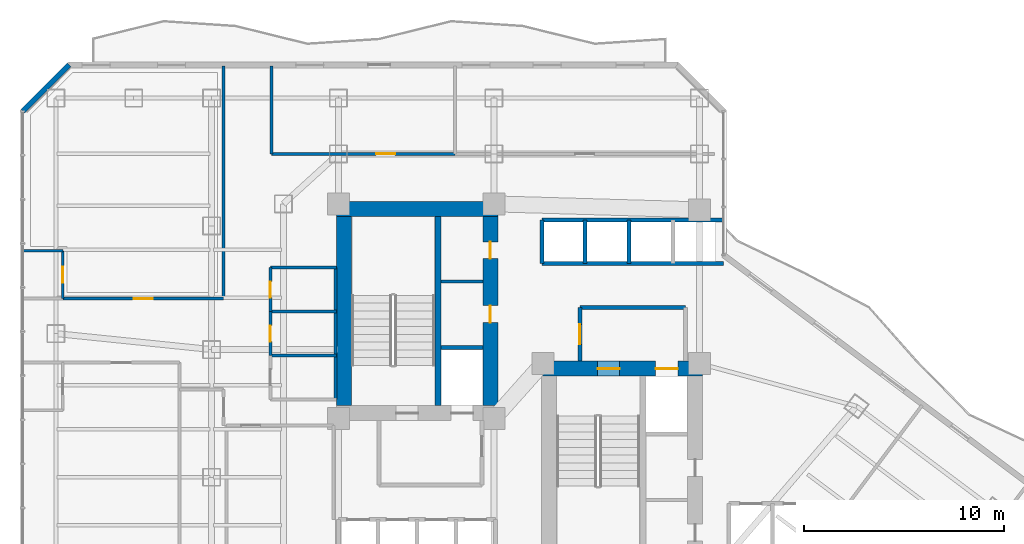
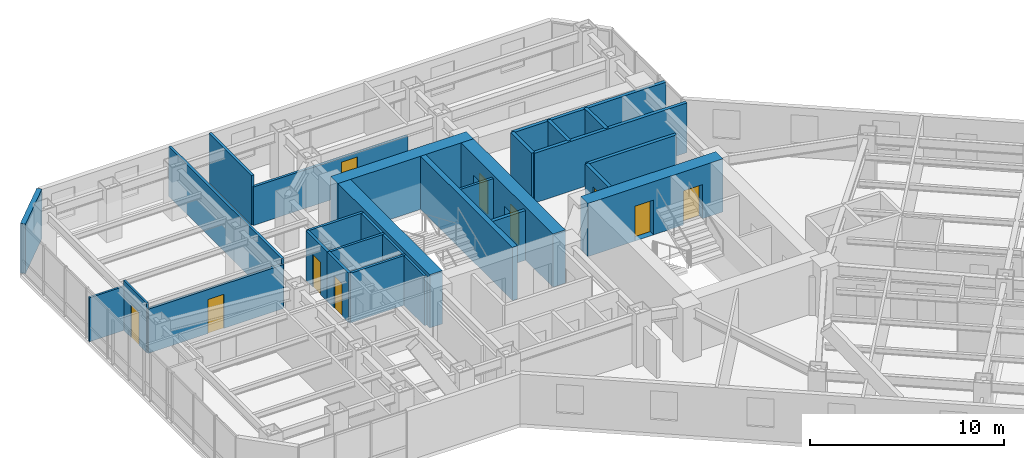
# One storey, part 26 of 31: 27 walls, 10 doors, 10 openings.
"""IFC4 building model written with IfcOpenShell, lengths in metres."""

from ifc_helpers import new_model, si_unit, direction, frame, frame_2d, origin, place, context, subcontext, project, spatial, rectangle, extrude, material, layer, layer_set, type_object, element, fill, save


model = new_model("IFC4")

# Units and contexts
model_context = context("Model", 3, precision=1e-05, world=origin(), true_north=direction((0.0, 1.0)))
body_context = subcontext(model_context, "Body", "Model", "MODEL_VIEW")
ifc_project = project(units=[si_unit("LENGTHUNIT", "METRE"), si_unit("AREAUNIT", "SQUARE_METRE"), si_unit("VOLUMEUNIT", "CUBIC_METRE"), si_unit("PLANEANGLEUNIT", "RADIAN"), si_unit("MASSUNIT", "GRAM", prefix="KILO")], contexts=[model_context])

# Site, building, storey
site_placement = place(None, origin())
site = spatial("IfcSite", under=ifc_project, at=site_placement, CompositionType="ELEMENT")
building_placement = place(site_placement, origin())
building = spatial("IfcBuilding", under=site, at=building_placement, Name="Hatsunagi Terrace Concourse", CompositionType="ELEMENT")
storey_placement = place(building_placement, frame((0.0, 0.0, 77.949951171875)))
storey = spatial("IfcBuildingStorey", under=building, at=storey_placement, Name="L20", CompositionType="ELEMENT", Elevation=77.949951171875)

# Walls
ifc_material_1 = material(Name="Concrete Fc60", Category="concrete")
ifc_layer_1 = layer(ifc_material_1, 0.75)
ifc_layer_set_1 = layer_set([ifc_layer_1], Name="CoreShearWall_Fc60_750")
wall_type_1 = type_object("IfcWallType", Name="CoreShearWall_Fc60_750", PredefinedType="SHEAR", material=ifc_layer_set_1)
wall_1_placement = place(storey_placement, frame((25.469970703125, 43.044921875, 0.0), z_axis=(0.0, 0.0, 1.0), x_axis=(1.0, 0.0, 0.0)))
element("IfcWall", 1, at=wall_1_placement, inside=storey, type_object=wall_type_1, Name="Core A Shear Wall N L20", PredefinedType="SHEAR", context=body_context, shape_type="SweptSolid", body=[
    extrude(rectangle(XDim=8.080078125, YDim=0.75, at=frame_2d((4.0400390625, 0.0))), origin(), (0.0, 0.0, 1.0), 3.35009765625),
])
wall_2_placement = place(storey_placement, frame((25.844970703125, 33.18994140625, 0.0), z_axis=(0.0, 0.0, 1.0), x_axis=(0.0, 1.0, 0.0)))
element("IfcWall", 2, at=wall_2_placement, inside=storey, type_object=wall_type_1, Name="Core A Shear Wall W L20", PredefinedType="SHEAR", context=body_context, shape_type="SweptSolid", body=[
    extrude(rectangle(XDim=9.47998046875, YDim=0.75, at=frame_2d((4.739990234375, 0.0))), origin(), (0.0, 0.0, 1.0), 3.35009765625),
])

# Wall, openings, doors
wall_3_placement = place(storey_placement, frame((33.175048828125, 33.18994140625, 0.0), z_axis=(0.0, 0.0, 1.0), x_axis=(0.0, 1.0, 0.0)))
wall_3 = element("IfcWall", 3, at=wall_3_placement, inside=storey, type_object=wall_type_1, Name="Core A Shear Wall E L20", PredefinedType="SHEAR", context=body_context, shape_type="SweptSolid", body=[
    extrude(rectangle(XDim=9.47998046875, YDim=0.75, at=frame_2d((4.739990234375, 0.0))), origin(), (0.0, 0.0, 1.0), 3.35009765625),
])
opening_1_placement = place(wall_3_placement, frame((4.159912109375, 0.0, 0.0)))
opening_1 = element("IfcOpeningElement", 4, at=opening_1_placement, cuts=wall_3, Name="Opening DR-085", PredefinedType="OPENING", context=body_context, shape_type="SweptSolid", body=[
    extrude(rectangle(XDim=0.85009765625, YDim=2.080078125, at=frame_2d((0.425048828125, 1.0400390625))), frame((0.0, 0.385009765625, 0.0), z_axis=(0.0, -1.0, 0.0), x_axis=(1.0, 0.0, 0.0)), (0.0, 0.0, 1.0), 0.77001953125),
])
opening_2_placement = place(wall_3_placement, frame((7.360107421875, 0.0, 0.0)))
opening_2 = element("IfcOpeningElement", 5, at=opening_2_placement, cuts=wall_3, Name="Opening DR-085", PredefinedType="OPENING", context=body_context, shape_type="SweptSolid", body=[
    extrude(rectangle(XDim=0.85009765625, YDim=2.080078125, at=frame_2d((0.425048828125, 1.0400390625))), frame((0.0, 0.385009765625, 0.0), z_axis=(0.0, -1.0, 0.0), x_axis=(1.0, 0.0, 0.0)), (0.0, 0.0, 1.0), 0.77001953125),
])
ifc_material_2 = material(Name="Painted steel", Category="steel")
door_type_1 = type_object("IfcDoorType", Name="RiserAccessDoor_EI60_850", OperationType="NOTDEFINED", PredefinedType="DOOR", material=ifc_material_2)
door_1_placement = place(opening_1_placement, origin())
door_1 = element("IfcDoor", 6, at=door_1_placement, inside=storey, type_object=door_type_1, Name="Core A Riser Door L20-1", OperationType="SINGLE_SWING_LEFT", OverallHeight=2.080078125, OverallWidth=0.85009765625, PredefinedType="DOOR", context=body_context, shape_type="SweptSolid", body=[
    extrude(rectangle(XDim=0.85009765625, YDim=2.080078125, at=frame_2d((0.425048828125, 1.0400390625))), frame((0.0, 0.02490234375, 0.0), z_axis=(0.0, -1.0, 0.0), x_axis=(1.0, 0.0, 0.0)), (0.0, 0.0, 1.0), 0.050048828125),
])
fill(opening_1, door_1)
door_2_placement = place(opening_2_placement, origin())
door_2 = element("IfcDoor", 7, at=door_2_placement, inside=storey, type_object=door_type_1, Name="Core A Riser Door L20-2", OperationType="SINGLE_SWING_LEFT", OverallHeight=2.080078125, OverallWidth=0.85009765625, PredefinedType="DOOR", context=body_context, shape_type="SweptSolid", body=[
    extrude(rectangle(XDim=0.85009765625, YDim=2.080078125, at=frame_2d((0.425048828125, 1.0400390625))), frame((0.0, 0.02490234375, 0.0), z_axis=(0.0, -1.0, 0.0), x_axis=(1.0, 0.0, 0.0)), (0.0, 0.0, 1.0), 0.050048828125),
])
fill(opening_2, door_2)

wall_4_placement = place(storey_placement, frame((35.739990234375, 35.044921875, 0.0), z_axis=(0.0, 0.0, 1.0), x_axis=(1.0, 0.0, 0.0)))
wall_4 = element("IfcWall", 8, at=wall_4_placement, inside=storey, type_object=wall_type_1, Name="Core B Shear Wall N L20", PredefinedType="SHEAR", context=body_context, shape_type="SweptSolid", body=[
    extrude(rectangle(XDim=8.06005859375, YDim=0.75, at=frame_2d((4.030029296875, 0.0))), origin(), (0.0, 0.0, 1.0), 3.35009765625),
])
opening_3_placement = place(wall_4_placement, frame((2.81005859375, 0.0, 0.0)))
opening_3 = element("IfcOpeningElement", 9, at=opening_3_placement, cuts=wall_4, Name="Opening DR-110S", PredefinedType="OPENING", context=body_context, shape_type="SweptSolid", body=[
    extrude(rectangle(XDim=1.10009765625, YDim=2.199951171875, at=frame_2d((0.550048828125, 1.10009765625))), frame((0.0, 0.385009765625, 0.0), z_axis=(0.0, -1.0, 0.0), x_axis=(1.0, 0.0, 0.0)), (0.0, 0.0, 1.0), 0.77001953125),
])
opening_4_placement = place(wall_4_placement, frame((5.7099609375, 0.0, 0.0)))
opening_4 = element("IfcOpeningElement", 10, at=opening_4_placement, cuts=wall_4, Name="Opening LD-02", PredefinedType="OPENING", context=body_context, shape_type="SweptSolid", body=[
    extrude(rectangle(XDim=1.1201171875, YDim=2.14990234375, at=frame_2d((0.56005859375, 1.074951171875))), frame((0.0, 0.385009765625, 0.0), z_axis=(0.0, -1.0, 0.0), x_axis=(1.0, 0.0, 0.0)), (0.0, 0.0, 1.0), 0.77001953125),
])
ifc_material_3 = material(Name="Stainless steel", Category="steel")
door_type_2 = type_object("IfcDoorType", Name="LiftLandingDoor_LD02", OperationType="SLIDING_TO_RIGHT", PredefinedType="USERDEFINED", material=ifc_material_3)
door_3_placement = place(opening_4_placement, origin())
door_3 = element("IfcDoor", 11, at=door_3_placement, inside=storey, type_object=door_type_2, Name="Lift landing door FF-02 L20", ObjectType="SLIDING_LANDING_DOOR", OperationType="SLIDING_TO_RIGHT", OverallHeight=2.14990234375, OverallWidth=1.1201171875, PredefinedType="USERDEFINED", context=body_context, shape_type="SweptSolid", body=[
    extrude(rectangle(XDim=1.1201171875, YDim=2.14990234375, at=frame_2d((0.56005859375, 1.074951171875))), frame((0.0, 0.02490234375, 0.0), z_axis=(0.0, -1.0, 0.0), x_axis=(1.0, 0.0, 0.0)), (0.0, 0.0, 1.0), 0.050048828125),
])
fill(opening_4, door_3)
ifc_material_4 = material(Name="Painted steel", Category="steel")
door_type_3 = type_object("IfcDoorType", Name="StairFireDoor_EI60_1100", OperationType="NOTDEFINED", PredefinedType="DOOR", material=ifc_material_4)
door_4_placement = place(opening_3_placement, origin())
door_4 = element("IfcDoor", 12, at=door_4_placement, inside=storey, type_object=door_type_3, Name="Stair ST-B Exit Door L20", OperationType="SINGLE_SWING_RIGHT", OverallHeight=2.199951171875, OverallWidth=1.10009765625, PredefinedType="DOOR", context=body_context, shape_type="SweptSolid", body=[
    extrude(rectangle(XDim=1.10009765625, YDim=2.199951171875, at=frame_2d((0.550048828125, 1.10009765625))), frame((0.0, 0.02490234375, 0.0), z_axis=(0.0, -1.0, 0.0), x_axis=(1.0, 0.0, 0.0)), (0.0, 0.0, 1.0), 0.050048828125),
])
fill(opening_3, door_4)

# Wall
ifc_material_5 = material(Name="Concrete Fc48", Category="concrete")
ifc_layer_2 = layer(ifc_material_5, 0.300048828125)
ifc_layer_set_2 = layer_set([ifc_layer_2], Name="CoreStairDivider_Fc48_300")
wall_type_2 = type_object("IfcWallType", Name="CoreStairDivider_Fc48_300", PredefinedType="SHEAR", material=ifc_layer_set_2)
wall_5_placement = place(storey_placement, frame((30.5400390625, 33.18994140625, 0.0), z_axis=(0.0, 0.0, 1.0), x_axis=(0.0, 1.0, 0.0)))
element("IfcWall", 13, at=wall_5_placement, inside=storey, type_object=wall_type_2, Name="Core A Shear Wall D L20", PredefinedType="SHEAR", context=body_context, shape_type="SweptSolid", body=[
    extrude(rectangle(XDim=9.47998046875, YDim=0.300048828125, at=frame_2d((4.739990234375, 0.0))), origin(), (0.0, 0.0, 1.0), 3.35009765625),
])

# Wall, opening, door
ifc_material_6 = material(Name="Acoustic mineral board", Category="gypsum")
ifc_layer_3 = layer(ifc_material_6, 0.1201171875)
ifc_layer_set_3 = layer_set([ifc_layer_3], Name="PartitionWall_EI30_120")
wall_type_3 = type_object("IfcWallType", Name="PartitionWall_EI30_120", PredefinedType="PARTITIONING", material=ifc_layer_set_3)
wall_6_placement = place(storey_placement, frame((11.75, 38.550048828125, 0.0), z_axis=(0.0, 0.0, 1.0), x_axis=(0.0, 1.0, 0.0)))
wall_6 = element("IfcWall", 14, at=wall_6_placement, inside=storey, type_object=wall_type_3, Name="Interior Partition IW-L20-049", PredefinedType="PARTITIONING", context=body_context, shape_type="SweptSolid", body=[
    extrude(rectangle(XDim=2.39990234375, YDim=0.1201171875, at=frame_2d((1.199951171875, 0.0))), origin(), (0.0, 0.0, 1.0), 3.130126953125),
])
opening_5_placement = place(wall_6_placement, frame((0.800048828125, 0.0, 0.0)))
opening_5 = element("IfcOpeningElement", 15, at=opening_5_placement, cuts=wall_6, Name="Opening DR-080", PredefinedType="OPENING", context=body_context, shape_type="SweptSolid", body=[
    extrude(rectangle(XDim=0.800048828125, YDim=2.06005859375, at=frame_2d((0.39990234375, 1.030029296875))), frame((0.0, 0.070068359375, 0.0), z_axis=(0.0, -1.0, 0.0), x_axis=(1.0, 0.0, 0.0)), (0.0, 0.0, 1.0), 0.14013671875),
])
ifc_material_7 = material(Name="Hardwood timber", Category="wood")
door_type_4 = type_object("IfcDoorType", Name="BathroomDoor_800", OperationType="NOTDEFINED", PredefinedType="DOOR", material=ifc_material_7)
door_5_placement = place(opening_5_placement, origin())
door_5 = element("IfcDoor", 16, at=door_5_placement, inside=storey, type_object=door_type_4, Name="En-Suite Bathroom L20-N1 Door", OperationType="SINGLE_SWING_RIGHT", OverallHeight=2.06005859375, OverallWidth=0.800048828125, PredefinedType="DOOR", context=body_context, shape_type="SweptSolid", body=[
    extrude(rectangle(XDim=0.800048828125, YDim=2.06005859375, at=frame_2d((0.39990234375, 1.030029296875))), frame((0.0, 0.02490234375, 0.0), z_axis=(0.0, -1.0, 0.0), x_axis=(1.0, 0.0, 0.0)), (0.0, 0.0, 1.0), 0.050048828125),
])
fill(opening_5, door_5)

# Walls
wall_7_placement = place(storey_placement, frame((9.639892578125, 40.949951171875, 0.0), z_axis=(0.0, 0.0, 1.0), x_axis=(1.0, 0.0, 0.0)))
element("IfcWall", 17, at=wall_7_placement, inside=storey, type_object=wall_type_3, Name="Interior Partition IW-L20-050", PredefinedType="PARTITIONING", context=body_context, shape_type="SweptSolid", body=[
    extrude(rectangle(XDim=2.110107421875, YDim=0.1201171875, at=frame_2d((1.05517578125, 0.0))), origin(), (0.0, 0.0, 1.0), 2.775146484375),
])
ifc_material_8 = material(Name="Acoustic mineral board", Category="gypsum")
ifc_layer_4 = layer(ifc_material_8, 0.14990234375)
ifc_layer_set_4 = layer_set([ifc_layer_4], Name="PartitionWall_EI60_150")
wall_type_4 = type_object("IfcWallType", Name="PartitionWall_EI60_150", PredefinedType="PARTITIONING", material=ifc_layer_set_4)
wall_8_placement = place(storey_placement, frame((30.699951171875, 39.39990234375, 0.0), z_axis=(0.0, 0.0, 1.0), x_axis=(1.0, 0.0, 0.0)))
element("IfcWall", 18, at=wall_8_placement, inside=storey, type_object=wall_type_4, Name="Interior Partition IW-L20-002", PredefinedType="PARTITIONING", context=body_context, shape_type="SweptSolid", body=[
    extrude(rectangle(XDim=2.10009765625, YDim=0.14990234375, at=frame_2d((1.050048828125, 0.0))), origin(), (0.0, 0.0, 1.0), 3.130126953125),
])
wall_9_placement = place(storey_placement, frame((22.14990234375, 40.10009765625, 0.0), z_axis=(0.0, 0.0, 1.0), x_axis=(1.0, 0.0, 0.0)))
element("IfcWall", 19, at=wall_9_placement, inside=storey, type_object=wall_type_4, Name="Interior Partition IW-L20-030", PredefinedType="PARTITIONING", context=body_context, shape_type="SweptSolid", body=[
    extrude(rectangle(XDim=3.300048828125, YDim=0.14990234375, at=frame_2d((1.64990234375, 0.0))), origin(), (0.0, 0.0, 1.0), 3.130126953125),
])
wall_10_placement = place(storey_placement, frame((25.39990234375, 33.5, 0.0), z_axis=(0.0, 0.0, 1.0), x_axis=(0.0, 1.0, 0.0)))
element("IfcWall", 20, at=wall_10_placement, inside=storey, type_object=wall_type_4, Name="Interior Partition IW-L20-031", PredefinedType="PARTITIONING", context=body_context, shape_type="SweptSolid", body=[
    extrude(rectangle(XDim=6.60009765625, YDim=0.14990234375, at=frame_2d((3.300048828125, 0.0))), origin(), (0.0, 0.0, 1.0), 3.130126953125),
])
for number, where, z_axis, x_axis, name in (
    (21, (22.14990234375, 35.699951171875, 0.0), (0.0, 0.0, 1.0), (1.0, 0.0, 0.0), "Interior Partition IW-L20-032"),
    (22, (22.14990234375, 37.89990234375, 0.0), (0.0, 0.0, 1.0), (1.0, 0.0, 0.0), "Interior Partition IW-L20-033"),
):
    element("IfcWall", number, at=place(storey_placement, frame(where, z_axis=z_axis, x_axis=x_axis)), inside=storey, type_object=wall_type_4, Name=name, PredefinedType="PARTITIONING", context=body_context, shape_type="SweptSolid", body=[
        extrude(rectangle(XDim=3.300048828125, YDim=0.14990234375, at=frame_2d((1.64990234375, 0.0))), origin(), (0.0, 0.0, 1.0), 3.130126953125),
    ])

# Wall, opening, door
wall_11_placement = place(storey_placement, frame((22.14990234375, 35.699951171875, 0.0), z_axis=(0.0, 0.0, 1.0), x_axis=(0.0, 1.0, 0.0)))
wall_11 = element("IfcWall", 23, at=wall_11_placement, inside=storey, type_object=wall_type_4, Name="Interior Partition IW-L20-035", PredefinedType="PARTITIONING", context=body_context, shape_type="SweptSolid", body=[
    extrude(rectangle(XDim=2.199951171875, YDim=0.14990234375, at=frame_2d((1.10009765625, 0.0))), origin(), (0.0, 0.0, 1.0), 3.130126953125),
])
opening_6_placement = place(wall_11_placement, frame((0.699951171875, 0.0, 0.0)))
opening_6 = element("IfcOpeningElement", 24, at=opening_6_placement, cuts=wall_11, Name="Opening DR-080", PredefinedType="OPENING", context=body_context, shape_type="SweptSolid", body=[
    extrude(rectangle(XDim=0.800048828125, YDim=2.06005859375, at=frame_2d((0.39990234375, 1.030029296875))), frame((0.0, 0.0849609375, 0.0), z_axis=(0.0, -1.0, 0.0), x_axis=(1.0, 0.0, 0.0)), (0.0, 0.0, 1.0), 0.169921875),
])
door_6_placement = place(opening_6_placement, origin())
door_6 = element("IfcDoor", 25, at=door_6_placement, inside=storey, type_object=door_type_4, Name="Female Restroom Door L20", OperationType="SINGLE_SWING_RIGHT", OverallHeight=2.06005859375, OverallWidth=0.800048828125, PredefinedType="DOOR", context=body_context, shape_type="SweptSolid", body=[
    extrude(rectangle(XDim=0.800048828125, YDim=2.06005859375, at=frame_2d((0.39990234375, 1.030029296875))), frame((0.0, 0.02490234375, 0.0), z_axis=(0.0, -1.0, 0.0), x_axis=(1.0, 0.0, 0.0)), (0.0, 0.0, 1.0), 0.050048828125),
])
fill(opening_6, door_6)

wall_12_placement = place(storey_placement, frame((22.14990234375, 37.89990234375, 0.0), z_axis=(0.0, 0.0, 1.0), x_axis=(0.0, 1.0, 0.0)))
wall_12 = element("IfcWall", 26, at=wall_12_placement, inside=storey, type_object=wall_type_4, Name="Interior Partition IW-L20-036", PredefinedType="PARTITIONING", context=body_context, shape_type="SweptSolid", body=[
    extrude(rectangle(XDim=2.2001953125, YDim=0.14990234375, at=frame_2d((1.10009765625, 0.0))), origin(), (0.0, 0.0, 1.0), 3.130126953125),
])
opening_7_placement = place(wall_12_placement, frame((0.699951171875, 0.0, 0.0)))
opening_7 = element("IfcOpeningElement", 27, at=opening_7_placement, cuts=wall_12, Name="Opening DR-080", PredefinedType="OPENING", context=body_context, shape_type="SweptSolid", body=[
    extrude(rectangle(XDim=0.800048828125, YDim=2.06005859375, at=frame_2d((0.39990234375, 1.030029296875))), frame((0.0, 0.0849609375, 0.0), z_axis=(0.0, -1.0, 0.0), x_axis=(1.0, 0.0, 0.0)), (0.0, 0.0, 1.0), 0.169921875),
])
door_7_placement = place(opening_7_placement, origin())
door_7 = element("IfcDoor", 28, at=door_7_placement, inside=storey, type_object=door_type_4, Name="Male Restroom Door L20", OperationType="SINGLE_SWING_RIGHT", OverallHeight=2.06005859375, OverallWidth=0.800048828125, PredefinedType="DOOR", context=body_context, shape_type="SweptSolid", body=[
    extrude(rectangle(XDim=0.800048828125, YDim=2.06005859375, at=frame_2d((0.39990234375, 1.030029296875))), frame((0.0, 0.02490234375, 0.0), z_axis=(0.0, -1.0, 0.0), x_axis=(1.0, 0.0, 0.0)), (0.0, 0.0, 1.0), 0.050048828125),
])
fill(opening_7, door_7)

wall_13_placement = place(storey_placement, frame((22.199951171875, 45.800048828125, 0.0), z_axis=(0.0, 0.0, 1.0), x_axis=(1.0, 0.0, 0.0)))
wall_13 = element("IfcWall", 29, at=wall_13_placement, inside=storey, type_object=wall_type_4, Name="Interior Partition IW-L20-037", PredefinedType="PARTITIONING", context=body_context, shape_type="SweptSolid", body=[
    extrude(rectangle(XDim=9.199951171875, YDim=0.14990234375, at=frame_2d((4.60009765625, 0.0))), origin(), (0.0, 0.0, 1.0), 2.425048828125),
])
opening_8_placement = place(wall_13_placement, frame((5.248046875, 0.0, 0.0)))
opening_8 = element("IfcOpeningElement", 30, at=opening_8_placement, cuts=wall_13, Name="Opening DR-095", PredefinedType="OPENING", context=body_context, shape_type="SweptSolid", body=[
    extrude(rectangle(XDim=0.949951171875, YDim=2.14990234375, at=frame_2d((0.47509765625, 1.074951171875))), frame((0.0, 0.0849609375, 0.0), z_axis=(0.0, -1.0, 0.0), x_axis=(1.0, 0.0, 0.0)), (0.0, 0.0, 1.0), 0.169921875),
])
ifc_material_9 = material(Name="Hardwood timber", Category="wood")
door_type_5 = type_object("IfcDoorType", Name="InteriorSuiteDoor_EI30_950", OperationType="NOTDEFINED", PredefinedType="DOOR", material=ifc_material_9)
door_8_placement = place(opening_8_placement, origin())
door_8 = element("IfcDoor", 31, at=door_8_placement, inside=storey, type_object=door_type_5, Name="Housekeeping Linen Room L20-HLIN Door", OperationType="SINGLE_SWING_LEFT", OverallHeight=2.14990234375, OverallWidth=0.949951171875, PredefinedType="DOOR", context=body_context, shape_type="SweptSolid", body=[
    extrude(rectangle(XDim=0.949951171875, YDim=2.14990234375, at=frame_2d((0.47509765625, 1.074951171875))), frame((0.0, 0.02490234375, 0.0), z_axis=(0.0, -1.0, 0.0), x_axis=(1.0, 0.0, 0.0)), (0.0, 0.0, 1.0), 0.050048828125),
])
fill(opening_8, door_8)

# Wall
wall_14_placement = place(storey_placement, frame((22.199951171875, 45.800048828125, 0.0), z_axis=(0.0, 0.0, 1.0), x_axis=(0.0, 1.0, 0.0)))
element("IfcWall", 32, at=wall_14_placement, inside=storey, type_object=wall_type_4, Name="Interior Partition IW-L20-038", PredefinedType="PARTITIONING", context=body_context, shape_type="SweptSolid", body=[
    extrude(rectangle(XDim=4.39990234375, YDim=0.14990234375, at=frame_2d((2.199951171875, 0.0))), origin(), (0.0, 0.0, 1.0), 3.130126953125),
])

# Wall, opening, door
wall_15_placement = place(storey_placement, frame((11.75, 38.550048828125, 0.0), z_axis=(0.0, 0.0, 1.0), x_axis=(1.0, 0.0, 0.0)))
wall_15 = element("IfcWall", 33, at=wall_15_placement, inside=storey, type_object=wall_type_4, Name="Interior Partition IW-L20-048", PredefinedType="PARTITIONING", context=body_context, shape_type="SweptSolid", body=[
    extrude(rectangle(XDim=8.050048828125, YDim=0.14990234375, at=frame_2d((4.02490234375, 0.0))), origin(), (0.0, 0.0, 1.0), 2.775146484375),
])
opening_9_placement = place(wall_15_placement, frame((3.550048828125, 0.0, 0.0)))
opening_9 = element("IfcOpeningElement", 34, at=opening_9_placement, cuts=wall_15, Name="Opening DR-095", PredefinedType="OPENING", context=body_context, shape_type="SweptSolid", body=[
    extrude(rectangle(XDim=0.949951171875, YDim=2.14990234375, at=frame_2d((0.47509765625, 1.074951171875))), frame((0.0, 0.0849609375, 0.0), z_axis=(0.0, -1.0, 0.0), x_axis=(1.0, 0.0, 0.0)), (0.0, 0.0, 1.0), 0.169921875),
])
door_9_placement = place(opening_9_placement, origin())
door_9 = element("IfcDoor", 35, at=door_9_placement, inside=storey, type_object=door_type_5, Name="Corner Hotel Suite L20-N1 Door", OperationType="SINGLE_SWING_LEFT", OverallHeight=2.14990234375, OverallWidth=0.949951171875, PredefinedType="DOOR", context=body_context, shape_type="SweptSolid", body=[
    extrude(rectangle(XDim=0.949951171875, YDim=2.14990234375, at=frame_2d((0.47509765625, 1.074951171875))), frame((0.0, 0.02490234375, 0.0), z_axis=(0.0, -1.0, 0.0), x_axis=(1.0, 0.0, 0.0)), (0.0, 0.0, 1.0), 0.050048828125),
])
fill(opening_9, door_9)

# Walls
wall_16_placement = place(storey_placement, frame((19.800048828125, 38.550048828125, 0.0), z_axis=(0.0, 0.0, 1.0), x_axis=(0.0, 1.0, 0.0)))
element("IfcWall", 36, at=wall_16_placement, inside=storey, type_object=wall_type_4, Name="Interior Partition IW-L20-051", PredefinedType="PARTITIONING", context=body_context, shape_type="SweptSolid", body=[
    extrude(rectangle(XDim=11.64990234375, YDim=0.14990234375, at=frame_2d((5.824951171875, 0.0))), origin(), (0.0, 0.0, 1.0), 3.130126953125),
])
ifc_material_10 = material(Name="Acoustic mineral board", Category="gypsum")
ifc_layer_5 = layer(ifc_material_10, 0.199951171875)
ifc_layer_set_5 = layer_set([ifc_layer_5], Name="ShaftWall_EI120_200")
wall_type_5 = type_object("IfcWallType", Name="ShaftWall_EI120_200", PredefinedType="STANDARD", material=ifc_layer_set_5)
wall_17_placement = place(storey_placement, frame((30.699951171875, 36.10009765625, 0.0), z_axis=(0.0, 0.0, 1.0), x_axis=(1.0, 0.0, 0.0)))
element("IfcWall", 37, at=wall_17_placement, inside=storey, type_object=wall_type_5, Name="Interior Partition IW-L20-001", PredefinedType="STANDARD", context=body_context, shape_type="SweptSolid", body=[
    extrude(rectangle(XDim=2.10009765625, YDim=0.199951171875, at=frame_2d((1.050048828125, 0.0))), origin(), (0.0, 0.0, 1.0), 3.130126953125),
])
wall_18_placement = place(storey_placement, frame((37.64990234375, 38.10009765625, 0.0), z_axis=(0.0, 0.0, 1.0), x_axis=(1.0, 0.0, 0.0)))
element("IfcWall", 38, at=wall_18_placement, inside=storey, type_object=wall_type_5, Name="Interior Partition IW-L20-008", PredefinedType="STANDARD", context=body_context, shape_type="SweptSolid", body=[
    extrude(rectangle(XDim=5.300048828125, YDim=0.199951171875, at=frame_2d((2.64990234375, 0.0))), origin(), (0.0, 0.0, 1.0), 3.130126953125),
])

# Wall, opening, door
wall_19_placement = place(storey_placement, frame((37.64990234375, 35.419921875, 0.0), z_axis=(0.0, 0.0, 1.0), x_axis=(0.0, 1.0, 0.0)))
wall_19 = element("IfcWall", 39, at=wall_19_placement, inside=storey, type_object=wall_type_5, Name="Interior Partition IW-L20-010", PredefinedType="STANDARD", context=body_context, shape_type="SweptSolid", body=[
    extrude(rectangle(XDim=2.68017578125, YDim=0.199951171875, at=frame_2d((1.340087890625, 0.0))), origin(), (0.0, 0.0, 1.0), 3.130126953125),
])
opening_10_placement = place(wall_19_placement, frame((0.840087890625, 0.0, 0.0)))
opening_10 = element("IfcOpeningElement", 40, at=opening_10_placement, cuts=wall_19, Name="Opening DR-100F", PredefinedType="OPENING", context=body_context, shape_type="SweptSolid", body=[
    extrude(rectangle(XDim=1.0, YDim=2.199951171875, at=frame_2d((0.5, 1.10009765625))), frame((0.0, 0.10986328125, 0.0), z_axis=(0.0, -1.0, 0.0), x_axis=(1.0, 0.0, 0.0)), (0.0, 0.0, 1.0), 0.219970703125),
])
ifc_material_11 = material(Name="Painted steel", Category="steel")
door_type_6 = type_object("IfcDoorType", Name="FireDoor_EI60_1000", OperationType="NOTDEFINED", PredefinedType="DOOR", material=ifc_material_11)
door_10_placement = place(opening_10_placement, origin())
door_10 = element("IfcDoor", 41, at=door_10_placement, inside=storey, type_object=door_type_6, Name="Firefighting Lobby B Door L20", OperationType="SINGLE_SWING_RIGHT", OverallHeight=2.199951171875, OverallWidth=1.0, PredefinedType="DOOR", context=body_context, shape_type="SweptSolid", body=[
    extrude(rectangle(XDim=1.0, YDim=2.199951171875, at=frame_2d((0.5, 1.10009765625))), frame((0.0, 0.02490234375, 0.0), z_axis=(0.0, -1.0, 0.0), x_axis=(1.0, 0.0, 0.0)), (0.0, 0.0, 1.0), 0.050048828125),
])
fill(opening_10, door_10)

# Walls
wall_20_placement = place(storey_placement, frame((35.75, 42.47998046875, 0.0), z_axis=(0.0, 0.0, 1.0), x_axis=(1.0, 0.0, 0.0)))
element("IfcWall", 42, at=wall_20_placement, inside=storey, type_object=wall_type_5, Name="Interior Partition IW-L20-018", PredefinedType="STANDARD", context=body_context, shape_type="SweptSolid", body=[
    extrude(rectangle(XDim=9.110107421875, YDim=0.199951171875, at=frame_2d((4.55517578125, 0.0))), origin(), (0.0, 0.0, 1.0), 3.130126953125),
])
for number, where, z_axis, x_axis, name in (
    (43, (35.75, 40.320068359375, 0.0), (0.0, 0.0, 1.0), (0.0, 1.0, 0.0), "Interior Partition IW-L20-019"),
    (44, (37.919921875, 40.320068359375, 0.0), (0.0, 0.0, 1.0), (0.0, 1.0, 0.0), "Interior Partition IW-L20-020"),
    (45, (40.1201171875, 40.320068359375, 0.0), (0.0, 0.0, 1.0), (0.0, 1.0, 0.0), "Interior Partition IW-L20-021"),
):
    element("IfcWall", number, at=place(storey_placement, frame(where, z_axis=z_axis, x_axis=x_axis)), inside=storey, type_object=wall_type_5, Name=name, PredefinedType="STANDARD", context=body_context, shape_type="SweptSolid", body=[
        extrude(rectangle(XDim=2.159912109375, YDim=0.199951171875, at=frame_2d((1.080078125, 0.0))), origin(), (0.0, 0.0, 1.0), 3.130126953125),
    ])
wall_21_placement = place(storey_placement, frame((35.75, 40.320068359375, 0.0), z_axis=(0.0, 0.0, 1.0), x_axis=(1.0, 0.0, 0.0)))
element("IfcWall", 46, at=wall_21_placement, inside=storey, type_object=wall_type_5, Name="Interior Partition IW-L20-023", PredefinedType="STANDARD", context=body_context, shape_type="SweptSolid", body=[
    extrude(rectangle(XDim=9.110107421875, YDim=0.199951171875, at=frame_2d((4.55517578125, 0.0))), origin(), (0.0, 0.0, 1.0), 3.130126953125),
])
ifc_material_12 = material(Name="Autoclaved Lightweight Concrete and Terracotta Cladding", Category="masonry")
ifc_layer_6 = layer(ifc_material_12, 0.280029296875)
ifc_layer_set_6 = layer_set([ifc_layer_6], Name="TerracottaSpandrelWall_280")
wall_type_6 = type_object("IfcWallType", Name="TerracottaSpandrelWall_280", PredefinedType="STANDARD", material=ifc_layer_set_6)
wall_22_placement = place(storey_placement, frame((9.739990234375, 47.94189453125, 0.0), z_axis=(0.0, 0.0, 1.0), x_axis=(0.707106781187, 0.707106781187, 0.0)))
element("IfcWall", 47, at=wall_22_placement, inside=storey, type_object=wall_type_6, Name="Exterior Spandrel Wall EW-L20-10", PredefinedType="STANDARD", context=body_context, shape_type="SweptSolid", body=[
    extrude(rectangle(XDim=3.2783203125, YDim=0.280029296875, at=frame_2d((1.63916015625, 0.0))), origin(), (0.0, 0.0, 1.0), 3.130126953125),
])

save(model, "model.ifc")
